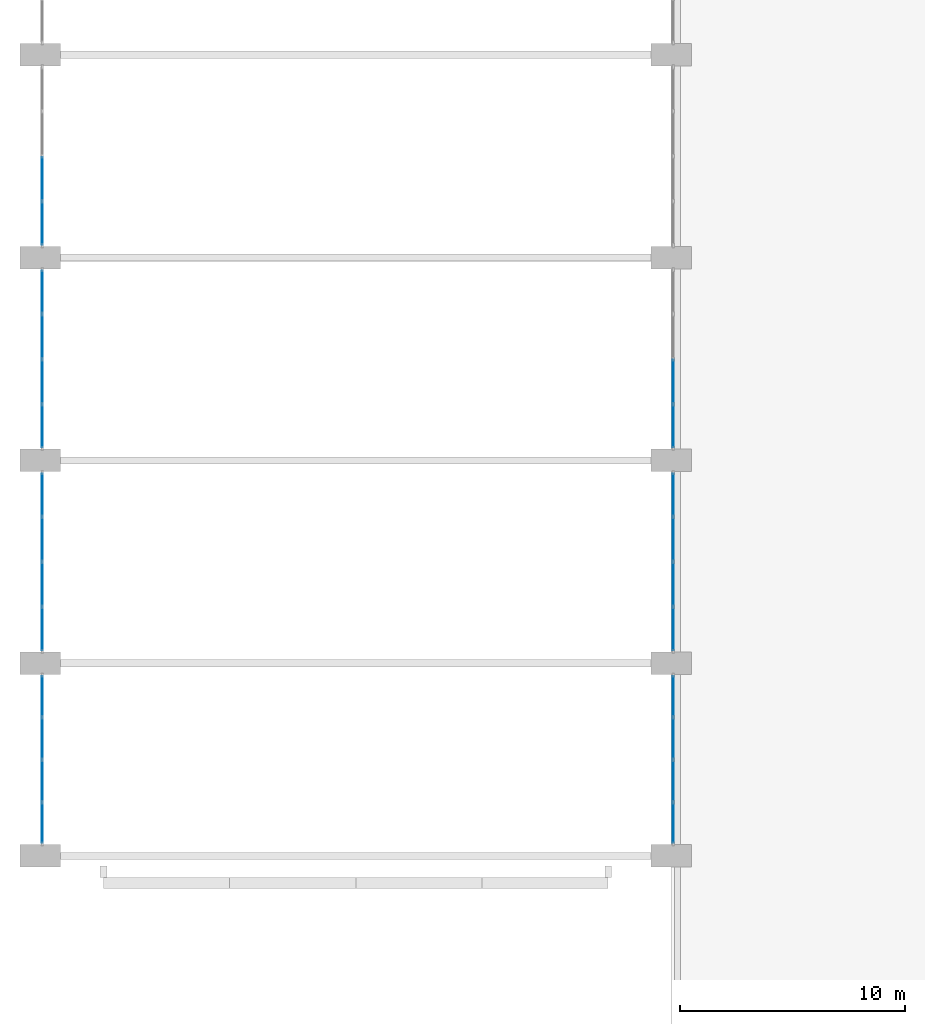
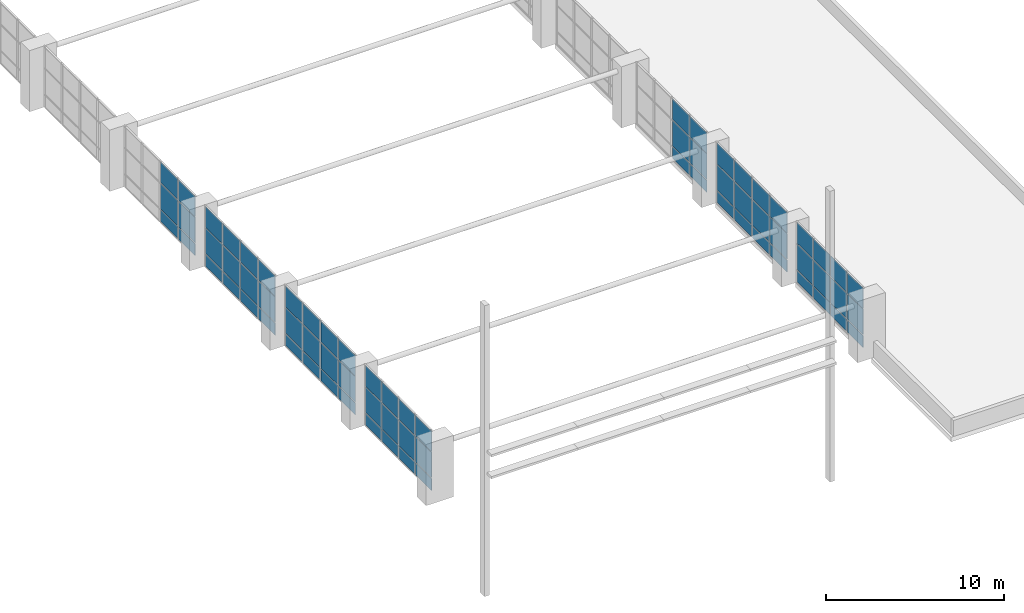
# One storey, part 11 of 21: 72 plates, 7 elements without a shape of their own.
"""IFC4 building model written with IfcOpenShell, lengths in metres."""

from ifc_helpers import new_model, si_unit, direction, frame, origin, origin_2d, place, context, subcontext, project, spatial, rectangle, extrude, material, layer, layer_set, type_object, element, aggregate, save


model = new_model("IFC4")

# Units and contexts
model_context = context("Model", 3, precision=1e-05, world=origin(), true_north=direction((0.0, 1.0)))
body_context = subcontext(model_context, "Body", "Model", "MODEL_VIEW")
ifc_project = project(units=[si_unit("LENGTHUNIT", "METRE"), si_unit("AREAUNIT", "SQUARE_METRE"), si_unit("VOLUMEUNIT", "CUBIC_METRE"), si_unit("PLANEANGLEUNIT", "RADIAN"), si_unit("MASSUNIT", "GRAM", prefix="KILO")], contexts=[model_context])

# Site, building, storey
site_placement = place(None, origin())
site = spatial("IfcSite", under=ifc_project, at=site_placement, CompositionType="ELEMENT")
building_placement = place(site_placement, origin())
building = spatial("IfcBuilding", under=site, at=building_placement, Name="Elmora Arch Market Hall", CompositionType="ELEMENT")
storey_placement = place(building_placement, frame((0.0, 0.0, 14.39990234375)))
storey = spatial("IfcBuildingStorey", under=building, at=storey_placement, Name="L03", CompositionType="ELEMENT", Elevation=14.39990234375)

# Curtain wall, plates
ifc_material_1 = material(Name="Aluminium", Category="aluminium")
curtain_wall_type = type_object("IfcCurtainWallType", Name="Hall front curtain wall", PredefinedType="NOTDEFINED", material=ifc_material_1)
curtain_wall_1_placement = place(storey_placement, origin())
curtain_wall_1 = element("IfcCurtainWall", 1, at=curtain_wall_1_placement, inside=storey, type_object=curtain_wall_type, Name="Hall west glazing L03 1", PredefinedType="NOTDEFINED")
ifc_material_2 = material(Name="Glass", Category="glass")
ifc_layer = layer(ifc_material_2, 0.028076171875)
ifc_layer_set = layer_set([ifc_layer], Name="Glass")
plate_type = type_object("IfcPlateType", Name="Glass panel 28", PredefinedType="CURTAIN_PANEL", material=ifc_layer_set)
plate_1_placement = place(storey_placement, frame((15.090087890625, 28.913818359375, 0.06005859375), z_axis=(0.0, 0.0, 1.0), x_axis=(0.0, 1.0, 0.0)))
plate_1 = element("IfcPlate", 2, at=plate_1_placement, type_object=plate_type, Name="CW2 panel 1.1", PredefinedType="CURTAIN_PANEL", context=body_context, shape_type="SweptSolid", body=[
    extrude(rectangle(XDim=1.767578125, YDim=0.028076171875, at=origin_2d()), origin(), (0.0, 0.0, 1.0), 0.81005859375),
])
plate_2_placement = place(storey_placement, frame((15.090087890625, 28.913818359375, 0.93017578125), z_axis=(0.0, 0.0, 1.0), x_axis=(0.0, 1.0, 0.0)))
plate_2 = element("IfcPlate", 3, at=plate_2_placement, type_object=plate_type, Name="CW2 panel 1.2", PredefinedType="CURTAIN_PANEL", context=body_context, shape_type="SweptSolid", body=[
    extrude(rectangle(XDim=1.767578125, YDim=0.028076171875, at=origin_2d()), origin(), (0.0, 0.0, 1.0), 1.739990234375),
])
plate_3_placement = place(storey_placement, frame((15.090087890625, 28.913818359375, 2.72998046875), z_axis=(0.0, 0.0, 1.0), x_axis=(0.0, 1.0, 0.0)))
plate_3 = element("IfcPlate", 4, at=plate_3_placement, type_object=plate_type, Name="CW2 panel 1.3", PredefinedType="CURTAIN_PANEL", context=body_context, shape_type="SweptSolid", body=[
    extrude(rectangle(XDim=1.767578125, YDim=0.028076171875, at=origin_2d()), origin(), (0.0, 0.0, 1.0), 1.409912109375),
])
plate_4_placement = place(storey_placement, frame((15.090087890625, 30.78125, 0.06005859375), z_axis=(0.0, 0.0, 1.0), x_axis=(0.0, 1.0, 0.0)))
plate_4 = element("IfcPlate", 5, at=plate_4_placement, type_object=plate_type, Name="CW2 panel 2.1", PredefinedType="CURTAIN_PANEL", context=body_context, shape_type="SweptSolid", body=[
    extrude(rectangle(XDim=1.8076171875, YDim=0.028076171875, at=origin_2d()), origin(), (0.0, 0.0, 1.0), 0.81005859375),
])
plate_5_placement = place(storey_placement, frame((15.090087890625, 30.78125, 0.93017578125), z_axis=(0.0, 0.0, 1.0), x_axis=(0.0, 1.0, 0.0)))
plate_5 = element("IfcPlate", 6, at=plate_5_placement, type_object=plate_type, Name="CW2 panel 2.2", PredefinedType="CURTAIN_PANEL", context=body_context, shape_type="SweptSolid", body=[
    extrude(rectangle(XDim=1.8076171875, YDim=0.028076171875, at=origin_2d()), origin(), (0.0, 0.0, 1.0), 1.739990234375),
])
plate_6_placement = place(storey_placement, frame((15.090087890625, 30.78125, 2.72998046875), z_axis=(0.0, 0.0, 1.0), x_axis=(0.0, 1.0, 0.0)))
plate_6 = element("IfcPlate", 7, at=plate_6_placement, type_object=plate_type, Name="CW2 panel 2.3", PredefinedType="CURTAIN_PANEL", context=body_context, shape_type="SweptSolid", body=[
    extrude(rectangle(XDim=1.8076171875, YDim=0.028076171875, at=origin_2d()), origin(), (0.0, 0.0, 1.0), 1.409912109375),
])
plate_7_placement = place(storey_placement, frame((15.090087890625, 32.668701171875, 0.06005859375), z_axis=(0.0, 0.0, 1.0), x_axis=(0.0, 1.0, 0.0)))
plate_7 = element("IfcPlate", 8, at=plate_7_placement, type_object=plate_type, Name="CW2 panel 3.1", PredefinedType="CURTAIN_PANEL", context=body_context, shape_type="SweptSolid", body=[
    extrude(rectangle(XDim=1.8076171875, YDim=0.028076171875, at=origin_2d()), origin(), (0.0, 0.0, 1.0), 0.81005859375),
])
plate_8_placement = place(storey_placement, frame((15.090087890625, 32.668701171875, 0.93017578125), z_axis=(0.0, 0.0, 1.0), x_axis=(0.0, 1.0, 0.0)))
plate_8 = element("IfcPlate", 9, at=plate_8_placement, type_object=plate_type, Name="CW2 panel 3.2", PredefinedType="CURTAIN_PANEL", context=body_context, shape_type="SweptSolid", body=[
    extrude(rectangle(XDim=1.8076171875, YDim=0.028076171875, at=origin_2d()), origin(), (0.0, 0.0, 1.0), 1.739990234375),
])
plate_9_placement = place(storey_placement, frame((15.090087890625, 32.668701171875, 2.72998046875), z_axis=(0.0, 0.0, 1.0), x_axis=(0.0, 1.0, 0.0)))
plate_9 = element("IfcPlate", 10, at=plate_9_placement, type_object=plate_type, Name="CW2 panel 3.3", PredefinedType="CURTAIN_PANEL", context=body_context, shape_type="SweptSolid", body=[
    extrude(rectangle(XDim=1.8076171875, YDim=0.028076171875, at=origin_2d()), origin(), (0.0, 0.0, 1.0), 1.409912109375),
])
plate_10_placement = place(storey_placement, frame((15.090087890625, 34.5361328125, 0.06005859375), z_axis=(0.0, 0.0, 1.0), x_axis=(0.0, 1.0, 0.0)))
plate_10 = element("IfcPlate", 11, at=plate_10_placement, type_object=plate_type, Name="CW2 panel 4.1", PredefinedType="CURTAIN_PANEL", context=body_context, shape_type="SweptSolid", body=[
    extrude(rectangle(XDim=1.767578125, YDim=0.028076171875, at=origin_2d()), origin(), (0.0, 0.0, 1.0), 0.81005859375),
])
plate_11_placement = place(storey_placement, frame((15.090087890625, 34.5361328125, 0.93017578125), z_axis=(0.0, 0.0, 1.0), x_axis=(0.0, 1.0, 0.0)))
plate_11 = element("IfcPlate", 12, at=plate_11_placement, type_object=plate_type, Name="CW2 panel 4.2", PredefinedType="CURTAIN_PANEL", context=body_context, shape_type="SweptSolid", body=[
    extrude(rectangle(XDim=1.767578125, YDim=0.028076171875, at=origin_2d()), origin(), (0.0, 0.0, 1.0), 1.739990234375),
])
plate_12_placement = place(storey_placement, frame((15.090087890625, 34.5361328125, 2.72998046875), z_axis=(0.0, 0.0, 1.0), x_axis=(0.0, 1.0, 0.0)))
plate_12 = element("IfcPlate", 13, at=plate_12_placement, type_object=plate_type, Name="CW2 panel 4.3", PredefinedType="CURTAIN_PANEL", context=body_context, shape_type="SweptSolid", body=[
    extrude(rectangle(XDim=1.767578125, YDim=0.028076171875, at=origin_2d()), origin(), (0.0, 0.0, 1.0), 1.409912109375),
])
aggregate(curtain_wall_1, [plate_1, plate_2, plate_3, plate_4, plate_5, plate_6, plate_7, plate_8, plate_9, plate_10, plate_11, plate_12])

curtain_wall_2_placement = place(storey_placement, origin())
curtain_wall_2 = element("IfcCurtainWall", 14, at=curtain_wall_2_placement, inside=storey, type_object=curtain_wall_type, Name="Hall west glazing L03 2", PredefinedType="NOTDEFINED")
plate_13_placement = place(storey_placement, frame((15.090087890625, 37.52001953125, 0.06005859375), z_axis=(0.0, 0.0, 1.0), x_axis=(0.0, 1.0, 0.0)))
plate_13 = element("IfcPlate", 15, at=plate_13_placement, type_object=plate_type, Name="CW2 panel 1.1", PredefinedType="CURTAIN_PANEL", context=body_context, shape_type="SweptSolid", body=[
    extrude(rectangle(XDim=1.8798828125, YDim=0.028076171875, at=origin_2d()), origin(), (0.0, 0.0, 1.0), 0.81005859375),
])
plate_14_placement = place(storey_placement, frame((15.090087890625, 37.52001953125, 0.93017578125), z_axis=(0.0, 0.0, 1.0), x_axis=(0.0, 1.0, 0.0)))
plate_14 = element("IfcPlate", 16, at=plate_14_placement, type_object=plate_type, Name="CW2 panel 1.2", PredefinedType="CURTAIN_PANEL", context=body_context, shape_type="SweptSolid", body=[
    extrude(rectangle(XDim=1.8798828125, YDim=0.028076171875, at=origin_2d()), origin(), (0.0, 0.0, 1.0), 1.739990234375),
])
plate_15_placement = place(storey_placement, frame((15.090087890625, 37.52001953125, 2.72998046875), z_axis=(0.0, 0.0, 1.0), x_axis=(0.0, 1.0, 0.0)))
plate_15 = element("IfcPlate", 17, at=plate_15_placement, type_object=plate_type, Name="CW2 panel 1.3", PredefinedType="CURTAIN_PANEL", context=body_context, shape_type="SweptSolid", body=[
    extrude(rectangle(XDim=1.8798828125, YDim=0.028076171875, at=origin_2d()), origin(), (0.0, 0.0, 1.0), 1.409912109375),
])
plate_16_placement = place(storey_placement, frame((15.090087890625, 39.5, 0.06005859375), z_axis=(0.0, 0.0, 1.0), x_axis=(0.0, 1.0, 0.0)))
plate_16 = element("IfcPlate", 18, at=plate_16_placement, type_object=plate_type, Name="CW2 panel 2.1", PredefinedType="CURTAIN_PANEL", context=body_context, shape_type="SweptSolid", body=[
    extrude(rectangle(XDim=1.919921875, YDim=0.028076171875, at=origin_2d()), origin(), (0.0, 0.0, 1.0), 0.81005859375),
])
plate_17_placement = place(storey_placement, frame((15.090087890625, 39.5, 0.93017578125), z_axis=(0.0, 0.0, 1.0), x_axis=(0.0, 1.0, 0.0)))
plate_17 = element("IfcPlate", 19, at=plate_17_placement, type_object=plate_type, Name="CW2 panel 2.2", PredefinedType="CURTAIN_PANEL", context=body_context, shape_type="SweptSolid", body=[
    extrude(rectangle(XDim=1.919921875, YDim=0.028076171875, at=origin_2d()), origin(), (0.0, 0.0, 1.0), 1.739990234375),
])
plate_18_placement = place(storey_placement, frame((15.090087890625, 39.5, 2.72998046875), z_axis=(0.0, 0.0, 1.0), x_axis=(0.0, 1.0, 0.0)))
plate_18 = element("IfcPlate", 20, at=plate_18_placement, type_object=plate_type, Name="CW2 panel 2.3", PredefinedType="CURTAIN_PANEL", context=body_context, shape_type="SweptSolid", body=[
    extrude(rectangle(XDim=1.919921875, YDim=0.028076171875, at=origin_2d()), origin(), (0.0, 0.0, 1.0), 1.409912109375),
])
plate_19_placement = place(storey_placement, frame((15.090087890625, 41.5, 0.06005859375), z_axis=(0.0, 0.0, 1.0), x_axis=(0.0, 1.0, 0.0)))
plate_19 = element("IfcPlate", 21, at=plate_19_placement, type_object=plate_type, Name="CW2 panel 3.1", PredefinedType="CURTAIN_PANEL", context=body_context, shape_type="SweptSolid", body=[
    extrude(rectangle(XDim=1.919921875, YDim=0.028076171875, at=origin_2d()), origin(), (0.0, 0.0, 1.0), 0.81005859375),
])
plate_20_placement = place(storey_placement, frame((15.090087890625, 41.5, 0.93017578125), z_axis=(0.0, 0.0, 1.0), x_axis=(0.0, 1.0, 0.0)))
plate_20 = element("IfcPlate", 22, at=plate_20_placement, type_object=plate_type, Name="CW2 panel 3.2", PredefinedType="CURTAIN_PANEL", context=body_context, shape_type="SweptSolid", body=[
    extrude(rectangle(XDim=1.919921875, YDim=0.028076171875, at=origin_2d()), origin(), (0.0, 0.0, 1.0), 1.739990234375),
])
plate_21_placement = place(storey_placement, frame((15.090087890625, 41.5, 2.72998046875), z_axis=(0.0, 0.0, 1.0), x_axis=(0.0, 1.0, 0.0)))
plate_21 = element("IfcPlate", 23, at=plate_21_placement, type_object=plate_type, Name="CW2 panel 3.3", PredefinedType="CURTAIN_PANEL", context=body_context, shape_type="SweptSolid", body=[
    extrude(rectangle(XDim=1.919921875, YDim=0.028076171875, at=origin_2d()), origin(), (0.0, 0.0, 1.0), 1.409912109375),
])
plate_22_placement = place(storey_placement, frame((15.090087890625, 43.47998046875, 0.06005859375), z_axis=(0.0, 0.0, 1.0), x_axis=(0.0, 1.0, 0.0)))
plate_22 = element("IfcPlate", 24, at=plate_22_placement, type_object=plate_type, Name="CW2 panel 4.1", PredefinedType="CURTAIN_PANEL", context=body_context, shape_type="SweptSolid", body=[
    extrude(rectangle(XDim=1.8798828125, YDim=0.028076171875, at=origin_2d()), origin(), (0.0, 0.0, 1.0), 0.81005859375),
])
plate_23_placement = place(storey_placement, frame((15.090087890625, 43.47998046875, 0.93017578125), z_axis=(0.0, 0.0, 1.0), x_axis=(0.0, 1.0, 0.0)))
plate_23 = element("IfcPlate", 25, at=plate_23_placement, type_object=plate_type, Name="CW2 panel 4.2", PredefinedType="CURTAIN_PANEL", context=body_context, shape_type="SweptSolid", body=[
    extrude(rectangle(XDim=1.8798828125, YDim=0.028076171875, at=origin_2d()), origin(), (0.0, 0.0, 1.0), 1.739990234375),
])
plate_24_placement = place(storey_placement, frame((15.090087890625, 43.47998046875, 2.72998046875), z_axis=(0.0, 0.0, 1.0), x_axis=(0.0, 1.0, 0.0)))
plate_24 = element("IfcPlate", 26, at=plate_24_placement, type_object=plate_type, Name="CW2 panel 4.3", PredefinedType="CURTAIN_PANEL", context=body_context, shape_type="SweptSolid", body=[
    extrude(rectangle(XDim=1.8798828125, YDim=0.028076171875, at=origin_2d()), origin(), (0.0, 0.0, 1.0), 1.409912109375),
])
aggregate(curtain_wall_2, [plate_13, plate_14, plate_15, plate_16, plate_17, plate_18, plate_19, plate_20, plate_21, plate_22, plate_23, plate_24])

curtain_wall_3_placement = place(storey_placement, origin())
curtain_wall_3 = element("IfcCurtainWall", 27, at=curtain_wall_3_placement, inside=storey, type_object=curtain_wall_type, Name="Hall west glazing L03 3", PredefinedType="NOTDEFINED")
plate_25_placement = place(storey_placement, frame((15.090087890625, 46.52001953125, 0.06005859375), z_axis=(0.0, 0.0, 1.0), x_axis=(0.0, 1.0, 0.0)))
plate_25 = element("IfcPlate", 28, at=plate_25_placement, type_object=plate_type, Name="CW2 panel 1.1", PredefinedType="CURTAIN_PANEL", context=body_context, shape_type="SweptSolid", body=[
    extrude(rectangle(XDim=1.8798828125, YDim=0.028076171875, at=origin_2d()), origin(), (0.0, 0.0, 1.0), 0.81005859375),
])
plate_26_placement = place(storey_placement, frame((15.090087890625, 46.52001953125, 0.93017578125), z_axis=(0.0, 0.0, 1.0), x_axis=(0.0, 1.0, 0.0)))
plate_26 = element("IfcPlate", 29, at=plate_26_placement, type_object=plate_type, Name="CW2 panel 1.2", PredefinedType="CURTAIN_PANEL", context=body_context, shape_type="SweptSolid", body=[
    extrude(rectangle(XDim=1.8798828125, YDim=0.028076171875, at=origin_2d()), origin(), (0.0, 0.0, 1.0), 1.739990234375),
])
plate_27_placement = place(storey_placement, frame((15.090087890625, 46.52001953125, 2.72998046875), z_axis=(0.0, 0.0, 1.0), x_axis=(0.0, 1.0, 0.0)))
plate_27 = element("IfcPlate", 30, at=plate_27_placement, type_object=plate_type, Name="CW2 panel 1.3", PredefinedType="CURTAIN_PANEL", context=body_context, shape_type="SweptSolid", body=[
    extrude(rectangle(XDim=1.8798828125, YDim=0.028076171875, at=origin_2d()), origin(), (0.0, 0.0, 1.0), 1.409912109375),
])
plate_28_placement = place(storey_placement, frame((15.090087890625, 48.5, 0.06005859375), z_axis=(0.0, 0.0, 1.0), x_axis=(0.0, 1.0, 0.0)))
plate_28 = element("IfcPlate", 31, at=plate_28_placement, type_object=plate_type, Name="CW2 panel 2.1", PredefinedType="CURTAIN_PANEL", context=body_context, shape_type="SweptSolid", body=[
    extrude(rectangle(XDim=1.919921875, YDim=0.028076171875, at=origin_2d()), origin(), (0.0, 0.0, 1.0), 0.81005859375),
])
plate_29_placement = place(storey_placement, frame((15.090087890625, 48.5, 0.93017578125), z_axis=(0.0, 0.0, 1.0), x_axis=(0.0, 1.0, 0.0)))
plate_29 = element("IfcPlate", 32, at=plate_29_placement, type_object=plate_type, Name="CW2 panel 2.2", PredefinedType="CURTAIN_PANEL", context=body_context, shape_type="SweptSolid", body=[
    extrude(rectangle(XDim=1.919921875, YDim=0.028076171875, at=origin_2d()), origin(), (0.0, 0.0, 1.0), 1.739990234375),
])
plate_30_placement = place(storey_placement, frame((15.090087890625, 48.5, 2.72998046875), z_axis=(0.0, 0.0, 1.0), x_axis=(0.0, 1.0, 0.0)))
plate_30 = element("IfcPlate", 33, at=plate_30_placement, type_object=plate_type, Name="CW2 panel 2.3", PredefinedType="CURTAIN_PANEL", context=body_context, shape_type="SweptSolid", body=[
    extrude(rectangle(XDim=1.919921875, YDim=0.028076171875, at=origin_2d()), origin(), (0.0, 0.0, 1.0), 1.409912109375),
])
plate_31_placement = place(storey_placement, frame((15.090087890625, 50.5, 0.06005859375), z_axis=(0.0, 0.0, 1.0), x_axis=(0.0, 1.0, 0.0)))
plate_31 = element("IfcPlate", 34, at=plate_31_placement, type_object=plate_type, Name="CW2 panel 3.1", PredefinedType="CURTAIN_PANEL", context=body_context, shape_type="SweptSolid", body=[
    extrude(rectangle(XDim=1.919921875, YDim=0.028076171875, at=origin_2d()), origin(), (0.0, 0.0, 1.0), 0.81005859375),
])
plate_32_placement = place(storey_placement, frame((15.090087890625, 50.5, 0.93017578125), z_axis=(0.0, 0.0, 1.0), x_axis=(0.0, 1.0, 0.0)))
plate_32 = element("IfcPlate", 35, at=plate_32_placement, type_object=plate_type, Name="CW2 panel 3.2", PredefinedType="CURTAIN_PANEL", context=body_context, shape_type="SweptSolid", body=[
    extrude(rectangle(XDim=1.919921875, YDim=0.028076171875, at=origin_2d()), origin(), (0.0, 0.0, 1.0), 1.739990234375),
])
plate_33_placement = place(storey_placement, frame((15.090087890625, 50.5, 2.72998046875), z_axis=(0.0, 0.0, 1.0), x_axis=(0.0, 1.0, 0.0)))
plate_33 = element("IfcPlate", 36, at=plate_33_placement, type_object=plate_type, Name="CW2 panel 3.3", PredefinedType="CURTAIN_PANEL", context=body_context, shape_type="SweptSolid", body=[
    extrude(rectangle(XDim=1.919921875, YDim=0.028076171875, at=origin_2d()), origin(), (0.0, 0.0, 1.0), 1.409912109375),
])
plate_34_placement = place(storey_placement, frame((15.090087890625, 52.47998046875, 0.06005859375), z_axis=(0.0, 0.0, 1.0), x_axis=(0.0, 1.0, 0.0)))
plate_34 = element("IfcPlate", 37, at=plate_34_placement, type_object=plate_type, Name="CW2 panel 4.1", PredefinedType="CURTAIN_PANEL", context=body_context, shape_type="SweptSolid", body=[
    extrude(rectangle(XDim=1.8798828125, YDim=0.028076171875, at=origin_2d()), origin(), (0.0, 0.0, 1.0), 0.81005859375),
])
plate_35_placement = place(storey_placement, frame((15.090087890625, 52.47998046875, 0.93017578125), z_axis=(0.0, 0.0, 1.0), x_axis=(0.0, 1.0, 0.0)))
plate_35 = element("IfcPlate", 38, at=plate_35_placement, type_object=plate_type, Name="CW2 panel 4.2", PredefinedType="CURTAIN_PANEL", context=body_context, shape_type="SweptSolid", body=[
    extrude(rectangle(XDim=1.8798828125, YDim=0.028076171875, at=origin_2d()), origin(), (0.0, 0.0, 1.0), 1.739990234375),
])
plate_36_placement = place(storey_placement, frame((15.090087890625, 52.47998046875, 2.72998046875), z_axis=(0.0, 0.0, 1.0), x_axis=(0.0, 1.0, 0.0)))
plate_36 = element("IfcPlate", 39, at=plate_36_placement, type_object=plate_type, Name="CW2 panel 4.3", PredefinedType="CURTAIN_PANEL", context=body_context, shape_type="SweptSolid", body=[
    extrude(rectangle(XDim=1.8798828125, YDim=0.028076171875, at=origin_2d()), origin(), (0.0, 0.0, 1.0), 1.409912109375),
])
aggregate(curtain_wall_3, [plate_25, plate_26, plate_27, plate_28, plate_29, plate_30, plate_31, plate_32, plate_33, plate_34, plate_35, plate_36])

curtain_wall_4_placement = place(storey_placement, origin())
curtain_wall_4 = element("IfcCurtainWall", 40, at=curtain_wall_4_placement, inside=storey, type_object=curtain_wall_type, Name="Hall west glazing L03 4", PredefinedType="NOTDEFINED")
plate_37_placement = place(storey_placement, frame((15.090087890625, 55.52001953125, 0.06005859375), z_axis=(0.0, 0.0, 1.0), x_axis=(0.0, 1.0, 0.0)))
plate_37 = element("IfcPlate", 41, at=plate_37_placement, type_object=plate_type, Name="CW2 panel 1.1", PredefinedType="CURTAIN_PANEL", context=body_context, shape_type="SweptSolid", body=[
    extrude(rectangle(XDim=1.8798828125, YDim=0.028076171875, at=origin_2d()), origin(), (0.0, 0.0, 1.0), 0.81005859375),
])
plate_38_placement = place(storey_placement, frame((15.090087890625, 55.52001953125, 0.93017578125), z_axis=(0.0, 0.0, 1.0), x_axis=(0.0, 1.0, 0.0)))
plate_38 = element("IfcPlate", 42, at=plate_38_placement, type_object=plate_type, Name="CW2 panel 1.2", PredefinedType="CURTAIN_PANEL", context=body_context, shape_type="SweptSolid", body=[
    extrude(rectangle(XDim=1.8798828125, YDim=0.028076171875, at=origin_2d()), origin(), (0.0, 0.0, 1.0), 1.739990234375),
])
plate_39_placement = place(storey_placement, frame((15.090087890625, 55.52001953125, 2.72998046875), z_axis=(0.0, 0.0, 1.0), x_axis=(0.0, 1.0, 0.0)))
plate_39 = element("IfcPlate", 43, at=plate_39_placement, type_object=plate_type, Name="CW2 panel 1.3", PredefinedType="CURTAIN_PANEL", context=body_context, shape_type="SweptSolid", body=[
    extrude(rectangle(XDim=1.8798828125, YDim=0.028076171875, at=origin_2d()), origin(), (0.0, 0.0, 1.0), 1.409912109375),
])
plate_40_placement = place(storey_placement, frame((15.090087890625, 57.5, 0.06005859375), z_axis=(0.0, 0.0, 1.0), x_axis=(0.0, 1.0, 0.0)))
plate_40 = element("IfcPlate", 44, at=plate_40_placement, type_object=plate_type, Name="CW2 panel 2.1", PredefinedType="CURTAIN_PANEL", context=body_context, shape_type="SweptSolid", body=[
    extrude(rectangle(XDim=1.919921875, YDim=0.028076171875, at=origin_2d()), origin(), (0.0, 0.0, 1.0), 0.81005859375),
])
plate_41_placement = place(storey_placement, frame((15.090087890625, 57.5, 0.93017578125), z_axis=(0.0, 0.0, 1.0), x_axis=(0.0, 1.0, 0.0)))
plate_41 = element("IfcPlate", 45, at=plate_41_placement, type_object=plate_type, Name="CW2 panel 2.2", PredefinedType="CURTAIN_PANEL", context=body_context, shape_type="SweptSolid", body=[
    extrude(rectangle(XDim=1.919921875, YDim=0.028076171875, at=origin_2d()), origin(), (0.0, 0.0, 1.0), 1.739990234375),
])
plate_42_placement = place(storey_placement, frame((15.090087890625, 57.5, 2.72998046875), z_axis=(0.0, 0.0, 1.0), x_axis=(0.0, 1.0, 0.0)))
plate_42 = element("IfcPlate", 46, at=plate_42_placement, type_object=plate_type, Name="CW2 panel 2.3", PredefinedType="CURTAIN_PANEL", context=body_context, shape_type="SweptSolid", body=[
    extrude(rectangle(XDim=1.919921875, YDim=0.028076171875, at=origin_2d()), origin(), (0.0, 0.0, 1.0), 1.409912109375),
])
aggregate(curtain_wall_4, [plate_37, plate_38, plate_39, plate_40, plate_41, plate_42])

curtain_wall_5_placement = place(storey_placement, origin())
curtain_wall_5 = element("IfcCurtainWall", 47, at=curtain_wall_5_placement, inside=storey, type_object=curtain_wall_type, Name="Hall east glazing L03 1", PredefinedType="NOTDEFINED")
plate_43_placement = place(storey_placement, frame((43.090087890625, 28.913818359375, 0.06005859375), z_axis=(0.0, 0.0, 1.0), x_axis=(0.0, 1.0, 0.0)))
plate_43 = element("IfcPlate", 48, at=plate_43_placement, type_object=plate_type, Name="CW2 panel 1.1", PredefinedType="CURTAIN_PANEL", context=body_context, shape_type="SweptSolid", body=[
    extrude(rectangle(XDim=1.767578125, YDim=0.028076171875, at=origin_2d()), origin(), (0.0, 0.0, 1.0), 0.81005859375),
])
plate_44_placement = place(storey_placement, frame((43.090087890625, 28.913818359375, 0.93017578125), z_axis=(0.0, 0.0, 1.0), x_axis=(0.0, 1.0, 0.0)))
plate_44 = element("IfcPlate", 49, at=plate_44_placement, type_object=plate_type, Name="CW2 panel 1.2", PredefinedType="CURTAIN_PANEL", context=body_context, shape_type="SweptSolid", body=[
    extrude(rectangle(XDim=1.767578125, YDim=0.028076171875, at=origin_2d()), origin(), (0.0, 0.0, 1.0), 1.739990234375),
])
plate_45_placement = place(storey_placement, frame((43.090087890625, 28.913818359375, 2.72998046875), z_axis=(0.0, 0.0, 1.0), x_axis=(0.0, 1.0, 0.0)))
plate_45 = element("IfcPlate", 50, at=plate_45_placement, type_object=plate_type, Name="CW2 panel 1.3", PredefinedType="CURTAIN_PANEL", context=body_context, shape_type="SweptSolid", body=[
    extrude(rectangle(XDim=1.767578125, YDim=0.028076171875, at=origin_2d()), origin(), (0.0, 0.0, 1.0), 1.409912109375),
])
plate_46_placement = place(storey_placement, frame((43.090087890625, 30.78125, 0.06005859375), z_axis=(0.0, 0.0, 1.0), x_axis=(0.0, 1.0, 0.0)))
plate_46 = element("IfcPlate", 51, at=plate_46_placement, type_object=plate_type, Name="CW2 panel 2.1", PredefinedType="CURTAIN_PANEL", context=body_context, shape_type="SweptSolid", body=[
    extrude(rectangle(XDim=1.8076171875, YDim=0.028076171875, at=origin_2d()), origin(), (0.0, 0.0, 1.0), 0.81005859375),
])
plate_47_placement = place(storey_placement, frame((43.090087890625, 30.78125, 0.93017578125), z_axis=(0.0, 0.0, 1.0), x_axis=(0.0, 1.0, 0.0)))
plate_47 = element("IfcPlate", 52, at=plate_47_placement, type_object=plate_type, Name="CW2 panel 2.2", PredefinedType="CURTAIN_PANEL", context=body_context, shape_type="SweptSolid", body=[
    extrude(rectangle(XDim=1.8076171875, YDim=0.028076171875, at=origin_2d()), origin(), (0.0, 0.0, 1.0), 1.739990234375),
])
plate_48_placement = place(storey_placement, frame((43.090087890625, 30.78125, 2.72998046875), z_axis=(0.0, 0.0, 1.0), x_axis=(0.0, 1.0, 0.0)))
plate_48 = element("IfcPlate", 53, at=plate_48_placement, type_object=plate_type, Name="CW2 panel 2.3", PredefinedType="CURTAIN_PANEL", context=body_context, shape_type="SweptSolid", body=[
    extrude(rectangle(XDim=1.8076171875, YDim=0.028076171875, at=origin_2d()), origin(), (0.0, 0.0, 1.0), 1.409912109375),
])
plate_49_placement = place(storey_placement, frame((43.090087890625, 32.668701171875, 0.06005859375), z_axis=(0.0, 0.0, 1.0), x_axis=(0.0, 1.0, 0.0)))
plate_49 = element("IfcPlate", 54, at=plate_49_placement, type_object=plate_type, Name="CW2 panel 3.1", PredefinedType="CURTAIN_PANEL", context=body_context, shape_type="SweptSolid", body=[
    extrude(rectangle(XDim=1.8076171875, YDim=0.028076171875, at=origin_2d()), origin(), (0.0, 0.0, 1.0), 0.81005859375),
])
plate_50_placement = place(storey_placement, frame((43.090087890625, 32.668701171875, 0.93017578125), z_axis=(0.0, 0.0, 1.0), x_axis=(0.0, 1.0, 0.0)))
plate_50 = element("IfcPlate", 55, at=plate_50_placement, type_object=plate_type, Name="CW2 panel 3.2", PredefinedType="CURTAIN_PANEL", context=body_context, shape_type="SweptSolid", body=[
    extrude(rectangle(XDim=1.8076171875, YDim=0.028076171875, at=origin_2d()), origin(), (0.0, 0.0, 1.0), 1.739990234375),
])
plate_51_placement = place(storey_placement, frame((43.090087890625, 32.668701171875, 2.72998046875), z_axis=(0.0, 0.0, 1.0), x_axis=(0.0, 1.0, 0.0)))
plate_51 = element("IfcPlate", 56, at=plate_51_placement, type_object=plate_type, Name="CW2 panel 3.3", PredefinedType="CURTAIN_PANEL", context=body_context, shape_type="SweptSolid", body=[
    extrude(rectangle(XDim=1.8076171875, YDim=0.028076171875, at=origin_2d()), origin(), (0.0, 0.0, 1.0), 1.409912109375),
])
plate_52_placement = place(storey_placement, frame((43.090087890625, 34.5361328125, 0.06005859375), z_axis=(0.0, 0.0, 1.0), x_axis=(0.0, 1.0, 0.0)))
plate_52 = element("IfcPlate", 57, at=plate_52_placement, type_object=plate_type, Name="CW2 panel 4.1", PredefinedType="CURTAIN_PANEL", context=body_context, shape_type="SweptSolid", body=[
    extrude(rectangle(XDim=1.767578125, YDim=0.028076171875, at=origin_2d()), origin(), (0.0, 0.0, 1.0), 0.81005859375),
])
plate_53_placement = place(storey_placement, frame((43.090087890625, 34.5361328125, 0.93017578125), z_axis=(0.0, 0.0, 1.0), x_axis=(0.0, 1.0, 0.0)))
plate_53 = element("IfcPlate", 58, at=plate_53_placement, type_object=plate_type, Name="CW2 panel 4.2", PredefinedType="CURTAIN_PANEL", context=body_context, shape_type="SweptSolid", body=[
    extrude(rectangle(XDim=1.767578125, YDim=0.028076171875, at=origin_2d()), origin(), (0.0, 0.0, 1.0), 1.739990234375),
])
plate_54_placement = place(storey_placement, frame((43.090087890625, 34.5361328125, 2.72998046875), z_axis=(0.0, 0.0, 1.0), x_axis=(0.0, 1.0, 0.0)))
plate_54 = element("IfcPlate", 59, at=plate_54_placement, type_object=plate_type, Name="CW2 panel 4.3", PredefinedType="CURTAIN_PANEL", context=body_context, shape_type="SweptSolid", body=[
    extrude(rectangle(XDim=1.767578125, YDim=0.028076171875, at=origin_2d()), origin(), (0.0, 0.0, 1.0), 1.409912109375),
])
aggregate(curtain_wall_5, [plate_43, plate_44, plate_45, plate_46, plate_47, plate_48, plate_49, plate_50, plate_51, plate_52, plate_53, plate_54])

curtain_wall_6_placement = place(storey_placement, origin())
curtain_wall_6 = element("IfcCurtainWall", 60, at=curtain_wall_6_placement, inside=storey, type_object=curtain_wall_type, Name="Hall east glazing L03 2", PredefinedType="NOTDEFINED")
plate_55_placement = place(storey_placement, frame((43.090087890625, 37.52001953125, 0.06005859375), z_axis=(0.0, 0.0, 1.0), x_axis=(0.0, 1.0, 0.0)))
plate_55 = element("IfcPlate", 61, at=plate_55_placement, type_object=plate_type, Name="CW2 panel 1.1", PredefinedType="CURTAIN_PANEL", context=body_context, shape_type="SweptSolid", body=[
    extrude(rectangle(XDim=1.8798828125, YDim=0.028076171875, at=origin_2d()), origin(), (0.0, 0.0, 1.0), 0.81005859375),
])
plate_56_placement = place(storey_placement, frame((43.090087890625, 37.52001953125, 0.93017578125), z_axis=(0.0, 0.0, 1.0), x_axis=(0.0, 1.0, 0.0)))
plate_56 = element("IfcPlate", 62, at=plate_56_placement, type_object=plate_type, Name="CW2 panel 1.2", PredefinedType="CURTAIN_PANEL", context=body_context, shape_type="SweptSolid", body=[
    extrude(rectangle(XDim=1.8798828125, YDim=0.028076171875, at=origin_2d()), origin(), (0.0, 0.0, 1.0), 1.739990234375),
])
plate_57_placement = place(storey_placement, frame((43.090087890625, 37.52001953125, 2.72998046875), z_axis=(0.0, 0.0, 1.0), x_axis=(0.0, 1.0, 0.0)))
plate_57 = element("IfcPlate", 63, at=plate_57_placement, type_object=plate_type, Name="CW2 panel 1.3", PredefinedType="CURTAIN_PANEL", context=body_context, shape_type="SweptSolid", body=[
    extrude(rectangle(XDim=1.8798828125, YDim=0.028076171875, at=origin_2d()), origin(), (0.0, 0.0, 1.0), 1.409912109375),
])
plate_58_placement = place(storey_placement, frame((43.090087890625, 39.5, 0.06005859375), z_axis=(0.0, 0.0, 1.0), x_axis=(0.0, 1.0, 0.0)))
plate_58 = element("IfcPlate", 64, at=plate_58_placement, type_object=plate_type, Name="CW2 panel 2.1", PredefinedType="CURTAIN_PANEL", context=body_context, shape_type="SweptSolid", body=[
    extrude(rectangle(XDim=1.919921875, YDim=0.028076171875, at=origin_2d()), origin(), (0.0, 0.0, 1.0), 0.81005859375),
])
plate_59_placement = place(storey_placement, frame((43.090087890625, 39.5, 0.93017578125), z_axis=(0.0, 0.0, 1.0), x_axis=(0.0, 1.0, 0.0)))
plate_59 = element("IfcPlate", 65, at=plate_59_placement, type_object=plate_type, Name="CW2 panel 2.2", PredefinedType="CURTAIN_PANEL", context=body_context, shape_type="SweptSolid", body=[
    extrude(rectangle(XDim=1.919921875, YDim=0.028076171875, at=origin_2d()), origin(), (0.0, 0.0, 1.0), 1.739990234375),
])
plate_60_placement = place(storey_placement, frame((43.090087890625, 39.5, 2.72998046875), z_axis=(0.0, 0.0, 1.0), x_axis=(0.0, 1.0, 0.0)))
plate_60 = element("IfcPlate", 66, at=plate_60_placement, type_object=plate_type, Name="CW2 panel 2.3", PredefinedType="CURTAIN_PANEL", context=body_context, shape_type="SweptSolid", body=[
    extrude(rectangle(XDim=1.919921875, YDim=0.028076171875, at=origin_2d()), origin(), (0.0, 0.0, 1.0), 1.409912109375),
])
plate_61_placement = place(storey_placement, frame((43.090087890625, 41.5, 0.06005859375), z_axis=(0.0, 0.0, 1.0), x_axis=(0.0, 1.0, 0.0)))
plate_61 = element("IfcPlate", 67, at=plate_61_placement, type_object=plate_type, Name="CW2 panel 3.1", PredefinedType="CURTAIN_PANEL", context=body_context, shape_type="SweptSolid", body=[
    extrude(rectangle(XDim=1.919921875, YDim=0.028076171875, at=origin_2d()), origin(), (0.0, 0.0, 1.0), 0.81005859375),
])
plate_62_placement = place(storey_placement, frame((43.090087890625, 41.5, 0.93017578125), z_axis=(0.0, 0.0, 1.0), x_axis=(0.0, 1.0, 0.0)))
plate_62 = element("IfcPlate", 68, at=plate_62_placement, type_object=plate_type, Name="CW2 panel 3.2", PredefinedType="CURTAIN_PANEL", context=body_context, shape_type="SweptSolid", body=[
    extrude(rectangle(XDim=1.919921875, YDim=0.028076171875, at=origin_2d()), origin(), (0.0, 0.0, 1.0), 1.739990234375),
])
plate_63_placement = place(storey_placement, frame((43.090087890625, 41.5, 2.72998046875), z_axis=(0.0, 0.0, 1.0), x_axis=(0.0, 1.0, 0.0)))
plate_63 = element("IfcPlate", 69, at=plate_63_placement, type_object=plate_type, Name="CW2 panel 3.3", PredefinedType="CURTAIN_PANEL", context=body_context, shape_type="SweptSolid", body=[
    extrude(rectangle(XDim=1.919921875, YDim=0.028076171875, at=origin_2d()), origin(), (0.0, 0.0, 1.0), 1.409912109375),
])
plate_64_placement = place(storey_placement, frame((43.090087890625, 43.47998046875, 0.06005859375), z_axis=(0.0, 0.0, 1.0), x_axis=(0.0, 1.0, 0.0)))
plate_64 = element("IfcPlate", 70, at=plate_64_placement, type_object=plate_type, Name="CW2 panel 4.1", PredefinedType="CURTAIN_PANEL", context=body_context, shape_type="SweptSolid", body=[
    extrude(rectangle(XDim=1.8798828125, YDim=0.028076171875, at=origin_2d()), origin(), (0.0, 0.0, 1.0), 0.81005859375),
])
plate_65_placement = place(storey_placement, frame((43.090087890625, 43.47998046875, 0.93017578125), z_axis=(0.0, 0.0, 1.0), x_axis=(0.0, 1.0, 0.0)))
plate_65 = element("IfcPlate", 71, at=plate_65_placement, type_object=plate_type, Name="CW2 panel 4.2", PredefinedType="CURTAIN_PANEL", context=body_context, shape_type="SweptSolid", body=[
    extrude(rectangle(XDim=1.8798828125, YDim=0.028076171875, at=origin_2d()), origin(), (0.0, 0.0, 1.0), 1.739990234375),
])
plate_66_placement = place(storey_placement, frame((43.090087890625, 43.47998046875, 2.72998046875), z_axis=(0.0, 0.0, 1.0), x_axis=(0.0, 1.0, 0.0)))
plate_66 = element("IfcPlate", 72, at=plate_66_placement, type_object=plate_type, Name="CW2 panel 4.3", PredefinedType="CURTAIN_PANEL", context=body_context, shape_type="SweptSolid", body=[
    extrude(rectangle(XDim=1.8798828125, YDim=0.028076171875, at=origin_2d()), origin(), (0.0, 0.0, 1.0), 1.409912109375),
])
aggregate(curtain_wall_6, [plate_55, plate_56, plate_57, plate_58, plate_59, plate_60, plate_61, plate_62, plate_63, plate_64, plate_65, plate_66])

curtain_wall_7_placement = place(storey_placement, origin())
curtain_wall_7 = element("IfcCurtainWall", 73, at=curtain_wall_7_placement, inside=storey, type_object=curtain_wall_type, Name="Hall east glazing L03 3", PredefinedType="NOTDEFINED")
plate_67_placement = place(storey_placement, frame((43.090087890625, 46.52001953125, 0.06005859375), z_axis=(0.0, 0.0, 1.0), x_axis=(0.0, 1.0, 0.0)))
plate_67 = element("IfcPlate", 74, at=plate_67_placement, type_object=plate_type, Name="CW2 panel 1.1", PredefinedType="CURTAIN_PANEL", context=body_context, shape_type="SweptSolid", body=[
    extrude(rectangle(XDim=1.8798828125, YDim=0.028076171875, at=origin_2d()), origin(), (0.0, 0.0, 1.0), 0.81005859375),
])
plate_68_placement = place(storey_placement, frame((43.090087890625, 46.52001953125, 0.93017578125), z_axis=(0.0, 0.0, 1.0), x_axis=(0.0, 1.0, 0.0)))
plate_68 = element("IfcPlate", 75, at=plate_68_placement, type_object=plate_type, Name="CW2 panel 1.2", PredefinedType="CURTAIN_PANEL", context=body_context, shape_type="SweptSolid", body=[
    extrude(rectangle(XDim=1.8798828125, YDim=0.028076171875, at=origin_2d()), origin(), (0.0, 0.0, 1.0), 1.739990234375),
])
plate_69_placement = place(storey_placement, frame((43.090087890625, 46.52001953125, 2.72998046875), z_axis=(0.0, 0.0, 1.0), x_axis=(0.0, 1.0, 0.0)))
plate_69 = element("IfcPlate", 76, at=plate_69_placement, type_object=plate_type, Name="CW2 panel 1.3", PredefinedType="CURTAIN_PANEL", context=body_context, shape_type="SweptSolid", body=[
    extrude(rectangle(XDim=1.8798828125, YDim=0.028076171875, at=origin_2d()), origin(), (0.0, 0.0, 1.0), 1.409912109375),
])
plate_70_placement = place(storey_placement, frame((43.090087890625, 48.5, 0.06005859375), z_axis=(0.0, 0.0, 1.0), x_axis=(0.0, 1.0, 0.0)))
plate_70 = element("IfcPlate", 77, at=plate_70_placement, type_object=plate_type, Name="CW2 panel 2.1", PredefinedType="CURTAIN_PANEL", context=body_context, shape_type="SweptSolid", body=[
    extrude(rectangle(XDim=1.919921875, YDim=0.028076171875, at=origin_2d()), origin(), (0.0, 0.0, 1.0), 0.81005859375),
])
plate_71_placement = place(storey_placement, frame((43.090087890625, 48.5, 0.93017578125), z_axis=(0.0, 0.0, 1.0), x_axis=(0.0, 1.0, 0.0)))
plate_71 = element("IfcPlate", 78, at=plate_71_placement, type_object=plate_type, Name="CW2 panel 2.2", PredefinedType="CURTAIN_PANEL", context=body_context, shape_type="SweptSolid", body=[
    extrude(rectangle(XDim=1.919921875, YDim=0.028076171875, at=origin_2d()), origin(), (0.0, 0.0, 1.0), 1.739990234375),
])
plate_72_placement = place(storey_placement, frame((43.090087890625, 48.5, 2.72998046875), z_axis=(0.0, 0.0, 1.0), x_axis=(0.0, 1.0, 0.0)))
plate_72 = element("IfcPlate", 79, at=plate_72_placement, type_object=plate_type, Name="CW2 panel 2.3", PredefinedType="CURTAIN_PANEL", context=body_context, shape_type="SweptSolid", body=[
    extrude(rectangle(XDim=1.919921875, YDim=0.028076171875, at=origin_2d()), origin(), (0.0, 0.0, 1.0), 1.409912109375),
])
aggregate(curtain_wall_7, [plate_67, plate_68, plate_69, plate_70, plate_71, plate_72])

save(model, "model.ifc")
